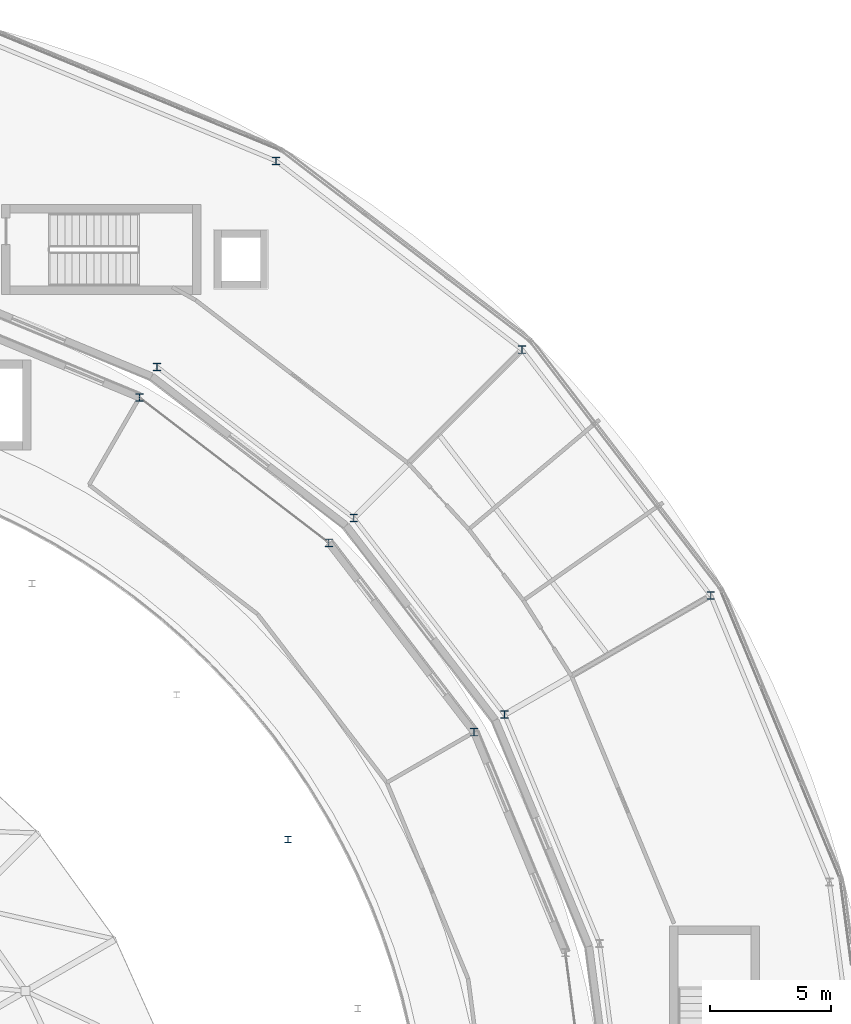
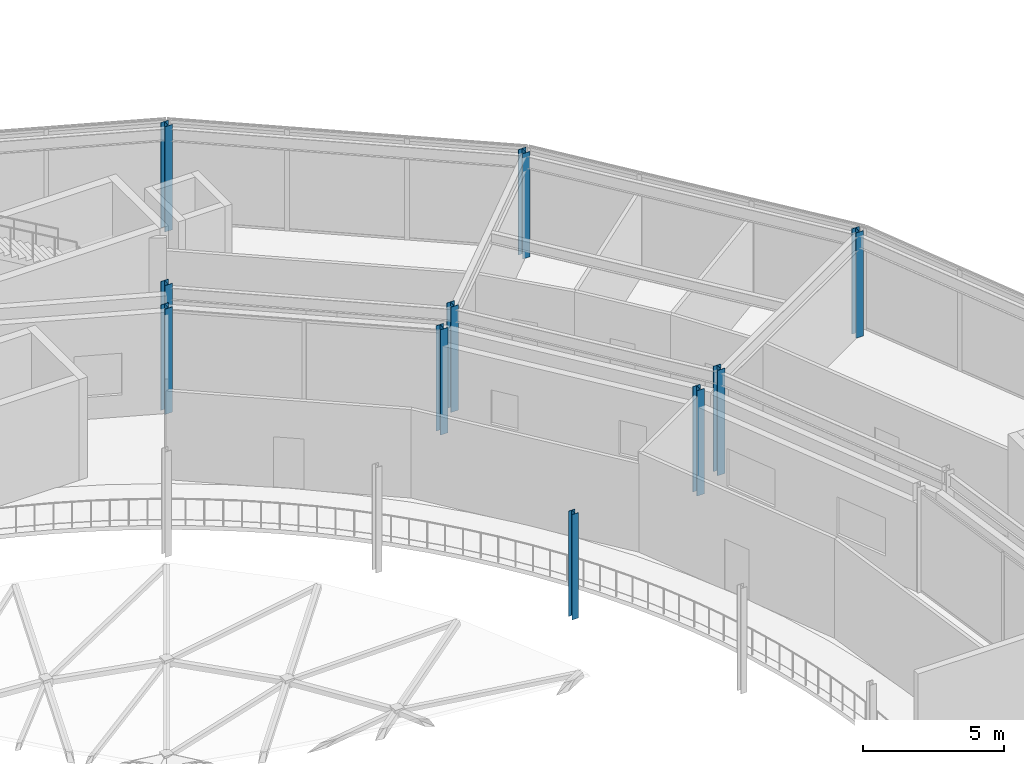
# One storey, part 11 of 116: 10 columns.
"""IFC4 building model written with IfcOpenShell, lengths in metres."""

import ifcopenshell
import ifcopenshell.guid

model = None  # the IFC model being written
_history = None  # IfcOwnerHistory: only IFC2X3 demands one
_inside = {}  # id of a spatial element -> (the spatial element, [elements in it])
_under = {}  # id of a project, library or spatial element -> (it, [spatial elements below it])
_declared = {}  # id of a project -> (the project, [libraries it declares])
_typed = {}  # id of a type object -> (the type object, [elements of that type])
_made_of = {}  # id of a material, layer set ... -> (it, [elements and type objects made of it])


def new_model(schema):
    """Start an empty IFC model of exactly this schema.

    Asked for "IFC4X3", IfcOpenShell would pick the latest addendum, in which some entities
    have other attributes; the version numbers below select the first issue.
    IFC2X3 requires an IfcOwnerHistory on every rooted entity: one is made here for all.
    """
    global model, _history
    if schema == "IFC4X3":
        model = ifcopenshell.file(schema_version=(4, 3, 0, 0))
    else:
        model = ifcopenshell.file(schema=schema)
    _inside.clear()
    _under.clear()
    _declared.clear()
    _typed.clear()
    _made_of.clear()
    _history = None
    if model.schema == "IFC2X3":
        org = make("IfcOrganization", Name="unknown")
        user = make(
            "IfcPersonAndOrganization",
            ThePerson=make("IfcPerson", FamilyName="unknown"),
            TheOrganization=org,
        )
        app = make(
            "IfcApplication",
            ApplicationDeveloper=org,
            Version="unknown",
            ApplicationFullName="unknown",
            ApplicationIdentifier="unknown",
        )
        _history = make(
            "IfcOwnerHistory",
            OwningUser=user,
            OwningApplication=app,
            ChangeAction="ADDED",
            CreationDate=0,
        )
    return model


def make(cls, **values):
    """One entity of the class cls with the attributes given. An attribute that is None is left unset."""
    return model.create_entity(
        cls, **{name: value for name, value in values.items() if value is not None}
    )


def rooted(cls, **values):
    """An entity with a GlobalId (a new one), such as an element, a storey or a relation."""
    return make(cls, GlobalId=ifcopenshell.guid.new(), OwnerHistory=_history, **values)


def si_unit(unit_type, name, prefix=None):
    """IfcSIUnit, for example si_unit("LENGTHUNIT", "METRE", prefix="MILLI")."""
    return make("IfcSIUnit", UnitType=unit_type, Prefix=prefix, Name=name)


def assignment(units):
    """IfcUnitAssignment: the units of a project."""
    return None if units is None else make("IfcUnitAssignment", Units=units)


def point(xyz):
    """IfcCartesianPoint."""
    return None if xyz is None else make("IfcCartesianPoint", Coordinates=xyz)


def direction(xyz):
    """IfcDirection."""
    return None if xyz is None else make("IfcDirection", DirectionRatios=xyz)


def frame(location, z_axis=None, x_axis=None):
    """IfcAxis2Placement3D, a coordinate frame: its origin and axes. An axis left out is left unset."""
    return make(
        "IfcAxis2Placement3D",
        Location=point(location),
        Axis=direction(z_axis),
        RefDirection=direction(x_axis),
    )


def frame_2d(location, x_axis=None):
    """IfcAxis2Placement2D, a coordinate frame in the plane: its origin and x axis."""
    return make(
        "IfcAxis2Placement2D", Location=point(location), RefDirection=direction(x_axis)
    )


def origin():
    """The frame at (0, 0, 0) with its axes left unset."""
    return frame((0.0, 0.0, 0.0))


def origin_2d():
    """The frame at (0, 0) in the plane with its x axis left unset."""
    return frame_2d((0.0, 0.0))


def place(relative_to, where):
    """IfcLocalPlacement: puts the frame where relative to a parent placement (None: the world)."""
    return make(
        "IfcLocalPlacement", PlacementRelTo=relative_to, RelativePlacement=where
    )


def context(
    kind, dimensions, precision=None, world=None, true_north=None, identifier=None
):
    """IfcGeometricRepresentationContext, for example the 3D "Model" context."""
    return make(
        "IfcGeometricRepresentationContext",
        ContextIdentifier=identifier,
        ContextType=kind,
        CoordinateSpaceDimension=dimensions,
        Precision=precision,
        WorldCoordinateSystem=world,
        TrueNorth=true_north,
    )


def subcontext(parent, identifier, kind, view, scale=None):
    """IfcGeometricRepresentationSubContext, for example "Body" below "Model"."""
    return make(
        "IfcGeometricRepresentationSubContext",
        ContextIdentifier=identifier,
        ContextType=kind,
        ParentContext=parent,
        TargetScale=scale,
        TargetView=view,
    )


def project(units=None, contexts=None):
    """IfcProject with its units and contexts."""
    return rooted(
        "IfcProject",
        Name="project",
        RepresentationContexts=contexts,
        UnitsInContext=assignment(units),
    )


def spatial(cls, under=None, at=None, **own):
    """A site, building, storey or space (cls), placed at a placement, below another one or the project."""
    s = rooted(cls, ObjectPlacement=at, **own)
    if under is not None:
        _under.setdefault(under.id(), (under, []))[1].append(s)
    return s


def profile(cls, at=None, kind="AREA", **sizes):
    """A parametric profile (cls). Its sizes go by their IFC names, for example OverallWidth=200.0."""
    return make(cls, ProfileType=kind, Position=at, **sizes)


def i_section(**sizes):
    """IfcIShapeProfileDef."""
    return profile("IfcIShapeProfileDef", **sizes)


def extrude(swept, where, along, depth):
    """IfcExtrudedAreaSolid: the profile swept, set in the frame where, extruded along a direction by depth."""
    return make(
        "IfcExtrudedAreaSolid",
        SweptArea=swept,
        Position=where,
        ExtrudedDirection=direction(along),
        Depth=depth,
    )


def shape(context_of_items, identifier, shape_type, items):
    """IfcShapeRepresentation: the items that make up one representation, for example the "Body"."""
    return make(
        "IfcShapeRepresentation",
        ContextOfItems=context_of_items,
        RepresentationIdentifier=identifier,
        RepresentationType=shape_type,
        Items=items,
    )


def material(Name=None, Category=None):
    """IfcMaterial."""
    return make("IfcMaterial", Name=Name, Category=Category)


def material_profile(
    of_material, cross_section, Name=None, Category=None, Priority=None
):
    """IfcMaterialProfile: a cross section and its material."""
    return make(
        "IfcMaterialProfile",
        Name=Name,
        Material=of_material,
        Profile=cross_section,
        Priority=Priority,
        Category=Category,
    )


def profile_set(profiles, Name=None, composite=None):
    """IfcMaterialProfileSet."""
    return make(
        "IfcMaterialProfileSet",
        Name=Name,
        MaterialProfiles=profiles,
        CompositeProfile=composite,
    )


def made_of(thing, what):
    """Note that an element or type object is made of a material, layer set ...; save() writes the relation."""
    if what is not None:
        _made_of.setdefault(what.id(), (what, []))[1].append(thing)
    return thing


def type_object(cls, material=None, **own):
    """A type object (cls), such as IfcWallType, which elements share."""
    return made_of(rooted(cls, **own), material)


def element(
    cls,
    number,
    at=None,
    inside=None,
    cuts=None,
    type_object=None,
    material=None,
    context=None,
    identifier="Body",
    shape_type=None,
    held_by="IfcProductDefinitionShape",
    body=None,
    shapes=None,
    **own,
):
    """One element of the class cls, such as IfcWall. Its Tag is "e" and its number.

    at: its placement. inside: the storey or other place that contains it. cuts: it is an
    opening in that element (IfcRelVoidsElement). A single representation is given by context,
    identifier, shape_type and body (its items); several are given by shapes. held_by: the class
    of the entity that holds the representations. save() writes the other relations.
    """
    e = rooted(cls, Tag="e%d" % number, ObjectPlacement=at, **own)
    if body is not None:
        shapes = [shape(context, identifier, shape_type, body)]
    if shapes is not None:
        e.Representation = make(held_by, Representations=shapes)
    if inside is not None:
        _inside.setdefault(inside.id(), (inside, []))[1].append(e)
    if cuts is not None:
        rooted(
            "IfcRelVoidsElement", RelatingBuildingElement=cuts, RelatedOpeningElement=e
        )
    if type_object is not None:
        _typed.setdefault(type_object.id(), (type_object, []))[1].append(e)
    return made_of(e, material)


def aggregate(whole, parts):
    """IfcRelAggregates: a whole, such as a stair, and the parts it consists of."""
    return rooted("IfcRelAggregates", RelatingObject=whole, RelatedObjects=parts)


def save(model, path):
    """Write the relations noted so far, then the file.

    IfcRelAggregates (storeys below a building ...), IfcRelContainedInSpatialStructure (elements
    in a storey), IfcRelDefinesByType, IfcRelAssociatesMaterial and IfcRelDeclares: one each for
    every whole, place, type object, material and project.
    """
    for whole, parts in _under.values():
        aggregate(whole, parts)
    for where, things in _inside.values():
        rooted(
            "IfcRelContainedInSpatialStructure",
            RelatedElements=things,
            RelatingStructure=where,
        )
    for kind, things in _typed.values():
        rooted("IfcRelDefinesByType", RelatedObjects=things, RelatingType=kind)
    for what, things in _made_of.values():
        rooted("IfcRelAssociatesMaterial", RelatedObjects=things, RelatingMaterial=what)
    for by, libraries in _declared.values():
        rooted("IfcRelDeclares", RelatingContext=by, RelatedDefinitions=libraries)
    model.write(path)


model = new_model("IFC4")

# Units and contexts
model_context = context("Model", 3, precision=1e-05, world=origin(), true_north=direction((0.0, 1.0)))
body_context = subcontext(model_context, "Body", "Model", "MODEL_VIEW")
ifc_project = project(units=[si_unit("LENGTHUNIT", "METRE"), si_unit("AREAUNIT", "SQUARE_METRE"), si_unit("VOLUMEUNIT", "CUBIC_METRE"), si_unit("PLANEANGLEUNIT", "RADIAN"), si_unit("MASSUNIT", "GRAM", prefix="KILO")], contexts=[model_context])

# Site, building, storey
site_placement = place(None, origin())
site = spatial("IfcSite", under=ifc_project, at=site_placement, CompositionType="ELEMENT")
building_placement = place(site_placement, origin())
building = spatial("IfcBuilding", under=site, at=building_placement, Name="Almandine Court Research Institute", CompositionType="ELEMENT")
storey_placement = place(building_placement, frame((0.0, 0.0, 14.35009765625)))
storey = spatial("IfcBuildingStorey", under=building, at=storey_placement, Name="L03", CompositionType="ELEMENT", Elevation=14.35009765625)

# Columns
ifc_material = material(Name="Steel ASTM A992 Grade 50", Category="steel")
ifc_material_profile_1 = material_profile(ifc_material, i_section(OverallWidth=0.305908203125, OverallDepth=0.31103515625, WebThickness=0.010986328125, FlangeThickness=0.01708984375, at=origin_2d()), Name="W310x107")
ifc_profile_set_1 = profile_set([ifc_material_profile_1], Name="Steel ASTM A992 Grade 50")
column_type_1 = type_object("IfcColumnType", Name="Col-C-W08", PredefinedType="COLUMN", material=ifc_profile_set_1)
for number, where, z_axis, x_axis, name in (
    (1, (119.60595703125, 74.824951171875, 0.0), (0.0, 0.0, 1.0), (1.0, 0.0, 0.0), "L03 V2 Column V2-OUT-S02"),
    (2, (113.623046875, 82.623046875, 0.0), (0.0, 0.0, 1.0), (1.0, 0.0, 0.0), "L03 V2 Column V2-OUT-S03"),
    (3, (105.824951171875, 88.60595703125, 0.0), (0.0, 0.0, 1.0), (1.0, 0.0, 0.0), "L03 V2 Column V2-OUT-S04"),
):
    element("IfcColumn", number, at=place(storey_placement, frame(where, z_axis=z_axis, x_axis=x_axis)), inside=storey, type_object=column_type_1, Name=name, PredefinedType="COLUMN", context=body_context, shape_type="SweptSolid", body=[
        extrude(i_section(OverallWidth=0.305908203125, OverallDepth=0.31103515625, WebThickness=0.010986328125, FlangeThickness=0.01708984375, at=origin_2d()), origin(), (0.0, 0.0, 1.0), 4.5498046875),
    ])
ifc_material_profile_2 = material_profile(ifc_material, i_section(OverallWidth=0.305908203125, OverallDepth=0.31103515625, WebThickness=0.010986328125, FlangeThickness=0.01708984375, at=origin_2d()), Name="W310x107")
ifc_profile_set_2 = profile_set([ifc_material_profile_2], Name="Steel ASTM A992 Grade 50")
column_type_2 = type_object("IfcColumnType", Name="Col-C-W08-E", PredefinedType="COLUMN", material=ifc_profile_set_2)
for number, where, z_axis, x_axis, name in (
    (4, (120.862060546875, 75.550048828125, 0.0), (0.0, 0.0, 1.0), (1.0, 0.0, 0.0), "L03 V5 Column V5-IN-S02"),
    (5, (129.34912109375, 80.449951171875, 0.0), (0.0, 0.0, 1.0), (1.0, 0.0, 0.0), "L03 V5 Column V5-OUT-S02"),
    (6, (114.64794921875, 83.64794921875, 0.0), (0.0, 0.0, 1.0), (1.0, 0.0, 0.0), "L03 V5 Column V5-IN-S03"),
    (7, (121.577880859375, 90.577880859375, 0.0), (0.0, 0.0, 1.0), (1.0, 0.0, 0.0), "L03 V5 Column V5-OUT-S03"),
    (8, (106.550048828125, 89.862060546875, 0.0), (0.0, 0.0, 1.0), (1.0, 0.0, 0.0), "L03 V5 Column V5-IN-S04"),
    (9, (111.449951171875, 98.34912109375, 0.0), (0.0, 0.0, 1.0), (1.0, 0.0, 0.0), "L03 V5 Column V5-OUT-S04"),
):
    element("IfcColumn", number, at=place(storey_placement, frame(where, z_axis=z_axis, x_axis=x_axis)), inside=storey, type_object=column_type_2, Name=name, PredefinedType="COLUMN", context=body_context, shape_type="SweptSolid", body=[
        extrude(i_section(OverallWidth=0.305908203125, OverallDepth=0.31103515625, WebThickness=0.010986328125, FlangeThickness=0.01708984375, at=origin_2d()), origin(), (0.0, 0.0, 1.0), 4.5498046875),
    ])
ifc_material_profile_3 = material_profile(ifc_material, i_section(OverallWidth=0.257080078125, OverallDepth=0.263916015625, WebThickness=0.011962890625, FlangeThickness=0.02001953125, at=origin_2d()), Name="W250x101")
ifc_profile_set_3 = profile_set([ifc_material_profile_3], Name="Steel ASTM A992 Grade 50")
column_type_3 = type_object("IfcColumnType", Name="Col-C-W09", PredefinedType="COLUMN", material=ifc_profile_set_3)
column_placement = place(storey_placement, frame((111.94189453125, 70.39990234375, 0.0), z_axis=(0.0, 0.0, 1.0), x_axis=(1.0, 0.0, 0.0)))
element("IfcColumn", 10, at=column_placement, inside=storey, type_object=column_type_3, Name="L03 V2 Column V2-MID-S02", PredefinedType="COLUMN", context=body_context, shape_type="SweptSolid", body=[
    extrude(i_section(OverallWidth=0.257080078125, OverallDepth=0.263916015625, WebThickness=0.011962890625, FlangeThickness=0.02001953125, at=origin_2d()), origin(), (0.0, 0.0, 1.0), 4.5498046875),
])

save(model, "model.ifc")
